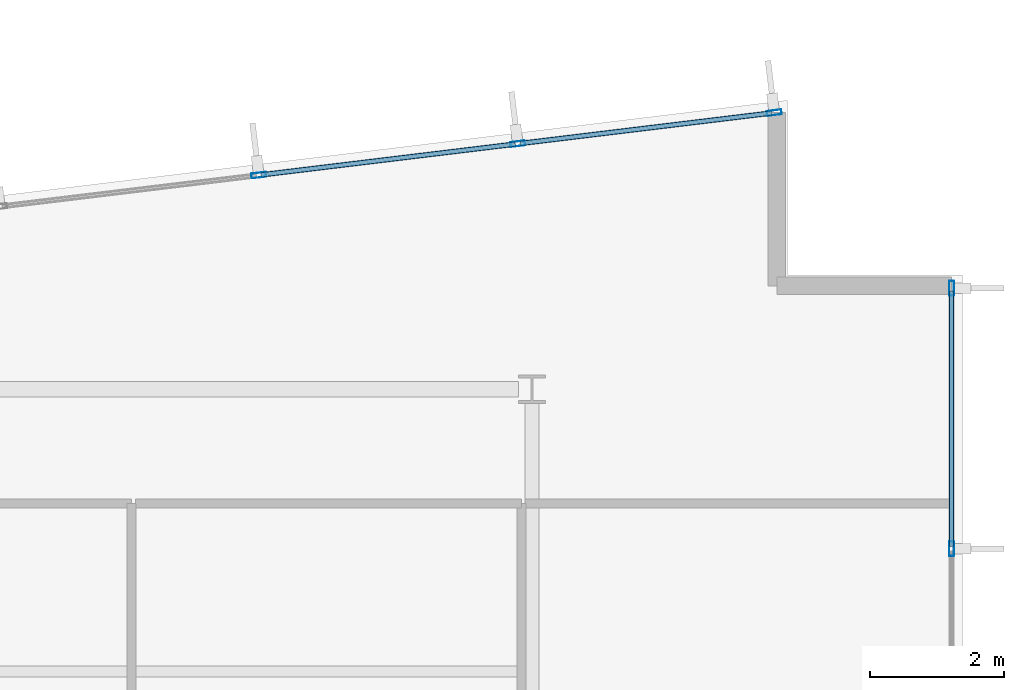
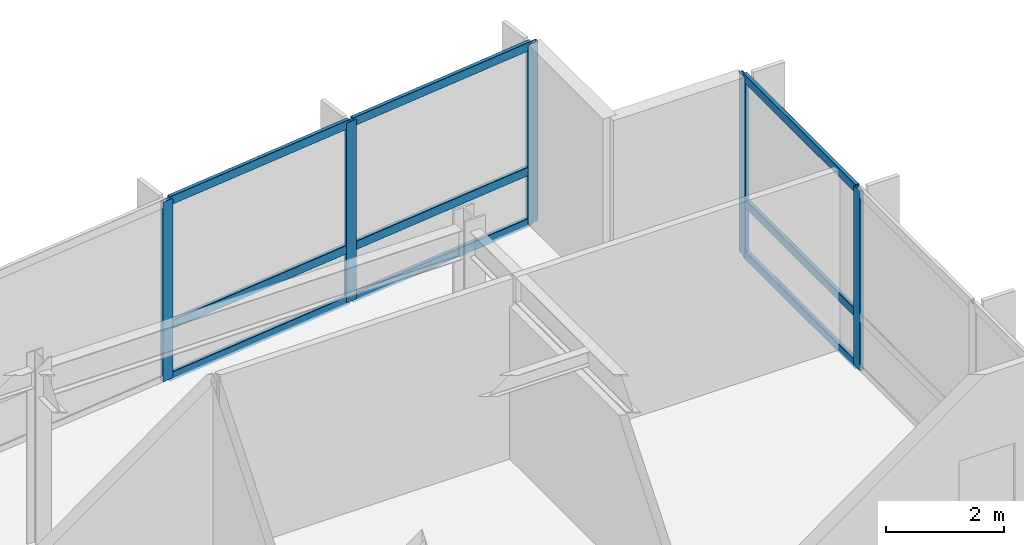
# One storey, part 8 of 18: 14 members, 2 elements without a shape of their own.
"""IFC4 building model written with IfcOpenShell, lengths in metres."""

from ifc_helpers import new_model, si_unit, direction, frame, origin, origin_2d, place, context, subcontext, project, spatial, hollow_rectangle, extrude, material, layer, layer_set, material_profile, profile_set, type_object, element, aggregate, save


model = new_model("IFC4")

# Units and contexts
model_context = context("Model", 3, precision=1e-05, world=origin(), true_north=direction((0.0, 1.0)))
body_context = subcontext(model_context, "Body", "Model", "MODEL_VIEW")
ifc_project = project(units=[si_unit("LENGTHUNIT", "METRE"), si_unit("AREAUNIT", "SQUARE_METRE"), si_unit("VOLUMEUNIT", "CUBIC_METRE"), si_unit("PLANEANGLEUNIT", "RADIAN"), si_unit("MASSUNIT", "GRAM", prefix="KILO")], contexts=[model_context])

# Site, building, storey
site_placement = place(None, origin())
site = spatial("IfcSite", under=ifc_project, at=site_placement, CompositionType="ELEMENT")
building_placement = place(site_placement, origin())
building = spatial("IfcBuilding", under=site, at=building_placement, Name="Varnakote Quay Hospital", CompositionType="ELEMENT")
storey_placement = place(building_placement, frame((0.0, 0.0, 142.85009765625)))
storey = spatial("IfcBuildingStorey", under=building, at=storey_placement, Name="L35", CompositionType="ELEMENT", Elevation=142.85009765625)

# Curtain wall, members
ifc_material_1 = material(Name="Anodised aluminium 6063-T6 Bronze", Category="aluminium")
ifc_layer = layer(ifc_material_1, 0.205078125)
ifc_layer_set = layer_set([ifc_layer], Name="Anodised aluminium 6063-T6 Bronze")
curtain_wall_type = type_object("IfcCurtainWallType", Name="CW-SYS-3", PredefinedType="NOTDEFINED", material=ifc_layer_set)
curtain_wall_1_placement = place(storey_placement, origin())
curtain_wall_1 = element("IfcCurtainWall", 1, at=curtain_wall_1_placement, inside=storey, type_object=curtain_wall_type, Name="L35 Unitised Bronze Curtain Wall 1", PredefinedType="NOTDEFINED")
ifc_material_2 = material(Name="Anodised aluminium 6063-T6 Bronze", Category="aluminium")
ifc_material_profile_1 = material_profile(ifc_material_2, hollow_rectangle(XDim=0.074951171875, YDim=0.219970703125, WallThickness=0.00439453125, InnerFilletRadius=0.00439453125, OuterFilletRadius=0.009033203125, at=origin_2d()), Name="CW-MULL-220x75")
ifc_profile_set_1 = profile_set([ifc_material_profile_1], Name="Anodised aluminium 6063-T6 Bronze")
member_type_1 = type_object("IfcMemberType", Name="CW-MULL-220x75", PredefinedType="MULLION", material=ifc_profile_set_1)
member_1_placement = place(storey_placement, frame((56.639892578125, 26.4267578125, 0.0), z_axis=(0.0, 0.0, 1.0), x_axis=(-1.0, 0.0, 0.0)))
member_1 = element("IfcMember", 2, at=member_1_placement, type_object=member_type_1, Name="-3-L35-1 mullion 6", PredefinedType="MULLION", context=body_context, shape_type="SweptSolid", body=[
    extrude(hollow_rectangle(XDim=0.074951171875, YDim=0.219970703125, WallThickness=0.00439453125, InnerFilletRadius=0.00439453125, OuterFilletRadius=0.009033203125, at=origin_2d()), origin(), (0.0, 0.0, 1.0), 3.7099609375),
])
member_2_placement = place(storey_placement, frame((56.639892578125, 30.302490234375, 0.0), z_axis=(0.0, 0.0, 1.0), x_axis=(-1.0, 0.0, 0.0)))
member_2 = element("IfcMember", 3, at=member_2_placement, type_object=member_type_1, Name="-3-L35-1 mullion 7", PredefinedType="MULLION", context=body_context, shape_type="SweptSolid", body=[
    extrude(hollow_rectangle(XDim=0.074951171875, YDim=0.219970703125, WallThickness=0.00439453125, InnerFilletRadius=0.00439453125, OuterFilletRadius=0.009033203125, at=origin_2d()), origin(), (0.0, 0.0, 1.0), 3.7099609375),
])

curtain_wall_2_placement = place(storey_placement, origin())
curtain_wall_2 = element("IfcCurtainWall", 4, at=curtain_wall_2_placement, inside=storey, type_object=curtain_wall_type, Name="L35 Unitised Bronze Curtain Wall 2", PredefinedType="NOTDEFINED")
member_3_placement = place(storey_placement, frame((54.002685546875, 32.914794921875, 0.0), z_axis=(0.0, 0.0, 1.0), x_axis=(0.12032713492, -0.992734295067, 0.0)))
member_3 = element("IfcMember", 5, at=member_3_placement, type_object=member_type_1, Name="-3-L35-2 mullion 1", PredefinedType="MULLION", context=body_context, shape_type="SweptSolid", body=[
    extrude(hollow_rectangle(XDim=0.074951171875, YDim=0.219970703125, WallThickness=0.00439453125, InnerFilletRadius=0.00439453125, OuterFilletRadius=0.009033203125, at=origin_2d()), origin(), (0.0, 0.0, 1.0), 3.7099609375),
])
member_4_placement = place(storey_placement, frame((50.1875, 32.452392578125, 0.0), z_axis=(0.0, 0.0, 1.0), x_axis=(0.12032713492, -0.992734295067, 0.0)))
member_4 = element("IfcMember", 6, at=member_4_placement, type_object=member_type_1, Name="-3-L35-2 mullion 2", PredefinedType="MULLION", context=body_context, shape_type="SweptSolid", body=[
    extrude(hollow_rectangle(XDim=0.074951171875, YDim=0.219970703125, WallThickness=0.00439453125, InnerFilletRadius=0.00439453125, OuterFilletRadius=0.009033203125, at=origin_2d()), origin(), (0.0, 0.0, 1.0), 3.7099609375),
])
member_5_placement = place(storey_placement, frame((46.3349609375, 31.985595703125, 0.0), z_axis=(0.0, 0.0, 1.0), x_axis=(0.12032713492, -0.992734295067, 0.0)))
member_5 = element("IfcMember", 7, at=member_5_placement, type_object=member_type_1, Name="-3-L35-2 mullion 3", PredefinedType="MULLION", context=body_context, shape_type="SweptSolid", body=[
    extrude(hollow_rectangle(XDim=0.074951171875, YDim=0.219970703125, WallThickness=0.00439453125, InnerFilletRadius=0.00439453125, OuterFilletRadius=0.009033203125, at=origin_2d()), origin(), (0.0, 0.0, 1.0), 3.7099609375),
])

# Member
ifc_material_3 = material(Name="Anodised aluminium 6063-T6 Bronze", Category="aluminium")
ifc_material_profile_2 = material_profile(ifc_material_3, hollow_rectangle(XDim=0.074951171875, YDim=0.179931640625, WallThickness=0.004150390625, InnerFilletRadius=0.004150390625, OuterFilletRadius=0.00830078125, at=origin_2d()), Name="CW-TRAN-180x75")
ifc_profile_set_2 = profile_set([ifc_material_profile_2], Name="Anodised aluminium 6063-T6 Bronze")
member_type_2 = type_object("IfcMemberType", Name="CW-TRAN-180x75", PredefinedType="USERDEFINED", material=ifc_profile_set_2)
member_6_placement = place(storey_placement, frame((56.639892578125, 26.464111328125, 0.037353515625), z_axis=(0.0, 1.0, 0.0), x_axis=(-1.0, 0.0, 0.0)))
member_6 = element("IfcMember", 8, at=member_6_placement, type_object=member_type_2, Name="-3-L35-1 transom 6.1", ObjectType="TRANSOM", PredefinedType="USERDEFINED", context=body_context, shape_type="SweptSolid", body=[
    extrude(hollow_rectangle(XDim=0.074951171875, YDim=0.179931640625, WallThickness=0.004150390625, InnerFilletRadius=0.004150390625, OuterFilletRadius=0.00830078125, at=origin_2d()), origin(), (0.0, 0.0, 1.0), 3.80078125),
])

member_7_placement = place(storey_placement, frame((56.639892578125, 26.464111328125, 1.099853515625), z_axis=(0.0, 1.0, 0.0), x_axis=(-1.0, 0.0, 0.0)))
member_7 = element("IfcMember", 9, at=member_7_placement, type_object=member_type_2, Name="-3-L35-1 transom 6.2", ObjectType="TRANSOM", PredefinedType="USERDEFINED", context=body_context, shape_type="SweptSolid", body=[
    extrude(hollow_rectangle(XDim=0.074951171875, YDim=0.179931640625, WallThickness=0.004150390625, InnerFilletRadius=0.004150390625, OuterFilletRadius=0.00830078125, at=origin_2d()), origin(), (0.0, 0.0, 1.0), 3.80078125),
])

member_8_placement = place(storey_placement, frame((56.639892578125, 26.464111328125, 3.67236328125), z_axis=(0.0, 1.0, 0.0), x_axis=(-1.0, 0.0, 0.0)))
member_8 = element("IfcMember", 10, at=member_8_placement, type_object=member_type_2, Name="-3-L35-1 transom 6.3", ObjectType="TRANSOM", PredefinedType="USERDEFINED", context=body_context, shape_type="SweptSolid", body=[
    extrude(hollow_rectangle(XDim=0.074951171875, YDim=0.179931640625, WallThickness=0.004150390625, InnerFilletRadius=0.004150390625, OuterFilletRadius=0.00830078125, at=origin_2d()), origin(), (0.0, 0.0, 1.0), 3.80078125),
])

aggregate(curtain_wall_1, [member_1, member_2, member_6, member_7, member_8])

member_9_placement = place(storey_placement, frame((53.965576171875, 32.910400390625, 0.037353515625), z_axis=(-0.992735423717, -0.120317822859, 0.0), x_axis=(0.120317822859, -0.992735423717, 0.0)))
member_9 = element("IfcMember", 11, at=member_9_placement, type_object=member_type_2, Name="-3-L35-2 transom 1.1", ObjectType="TRANSOM", PredefinedType="USERDEFINED", context=body_context, shape_type="SweptSolid", body=[
    extrude(hollow_rectangle(XDim=0.074951171875, YDim=0.179931640625, WallThickness=0.004150390625, InnerFilletRadius=0.004150390625, OuterFilletRadius=0.00830078125, at=origin_2d()), origin(), (0.0, 0.0, 1.0), 3.76806640625),
])

member_10_placement = place(storey_placement, frame((53.965576171875, 32.910400390625, 1.099853515625), z_axis=(-0.992735423717, -0.120317822859, 0.0), x_axis=(0.120317822859, -0.992735423717, 0.0)))
member_10 = element("IfcMember", 12, at=member_10_placement, type_object=member_type_2, Name="-3-L35-2 transom 1.2", ObjectType="TRANSOM", PredefinedType="USERDEFINED", context=body_context, shape_type="SweptSolid", body=[
    extrude(hollow_rectangle(XDim=0.074951171875, YDim=0.179931640625, WallThickness=0.004150390625, InnerFilletRadius=0.004150390625, OuterFilletRadius=0.00830078125, at=origin_2d()), origin(), (0.0, 0.0, 1.0), 3.76806640625),
])

member_11_placement = place(storey_placement, frame((53.965576171875, 32.910400390625, 3.67236328125), z_axis=(-0.992735423717, -0.120317822859, 0.0), x_axis=(0.120317822859, -0.992735423717, 0.0)))
member_11 = element("IfcMember", 13, at=member_11_placement, type_object=member_type_2, Name="-3-L35-2 transom 1.3", ObjectType="TRANSOM", PredefinedType="USERDEFINED", context=body_context, shape_type="SweptSolid", body=[
    extrude(hollow_rectangle(XDim=0.074951171875, YDim=0.179931640625, WallThickness=0.004150390625, InnerFilletRadius=0.004150390625, OuterFilletRadius=0.00830078125, at=origin_2d()), origin(), (0.0, 0.0, 1.0), 3.76806640625),
])

member_12_placement = place(storey_placement, frame((50.150390625, 32.447998046875, 0.037353515625), z_axis=(-0.992731924158, -0.120346694005, 0.0), x_axis=(0.120346694005, -0.992731924158, 0.0)))
member_12 = element("IfcMember", 14, at=member_12_placement, type_object=member_type_2, Name="-3-L35-2 transom 2.1", ObjectType="TRANSOM", PredefinedType="USERDEFINED", context=body_context, shape_type="SweptSolid", body=[
    extrude(hollow_rectangle(XDim=0.074951171875, YDim=0.179931640625, WallThickness=0.004150390625, InnerFilletRadius=0.004150390625, OuterFilletRadius=0.00830078125, at=origin_2d()), origin(), (0.0, 0.0, 1.0), 3.8056640625),
])

member_13_placement = place(storey_placement, frame((50.150390625, 32.447998046875, 1.099853515625), z_axis=(-0.992731924158, -0.120346694005, 0.0), x_axis=(0.120346694005, -0.992731924158, 0.0)))
member_13 = element("IfcMember", 15, at=member_13_placement, type_object=member_type_2, Name="-3-L35-2 transom 2.2", ObjectType="TRANSOM", PredefinedType="USERDEFINED", context=body_context, shape_type="SweptSolid", body=[
    extrude(hollow_rectangle(XDim=0.074951171875, YDim=0.179931640625, WallThickness=0.004150390625, InnerFilletRadius=0.004150390625, OuterFilletRadius=0.00830078125, at=origin_2d()), origin(), (0.0, 0.0, 1.0), 3.8056640625),
])

member_14_placement = place(storey_placement, frame((50.150390625, 32.447998046875, 3.67236328125), z_axis=(-0.992731924158, -0.120346694005, 0.0), x_axis=(0.120346694005, -0.992731924158, 0.0)))
member_14 = element("IfcMember", 16, at=member_14_placement, type_object=member_type_2, Name="-3-L35-2 transom 2.3", ObjectType="TRANSOM", PredefinedType="USERDEFINED", context=body_context, shape_type="SweptSolid", body=[
    extrude(hollow_rectangle(XDim=0.074951171875, YDim=0.179931640625, WallThickness=0.004150390625, InnerFilletRadius=0.004150390625, OuterFilletRadius=0.00830078125, at=origin_2d()), origin(), (0.0, 0.0, 1.0), 3.8056640625),
])

aggregate(curtain_wall_2, [member_3, member_4, member_5, member_9, member_10, member_11, member_12, member_13, member_14])

save(model, "model.ifc")
